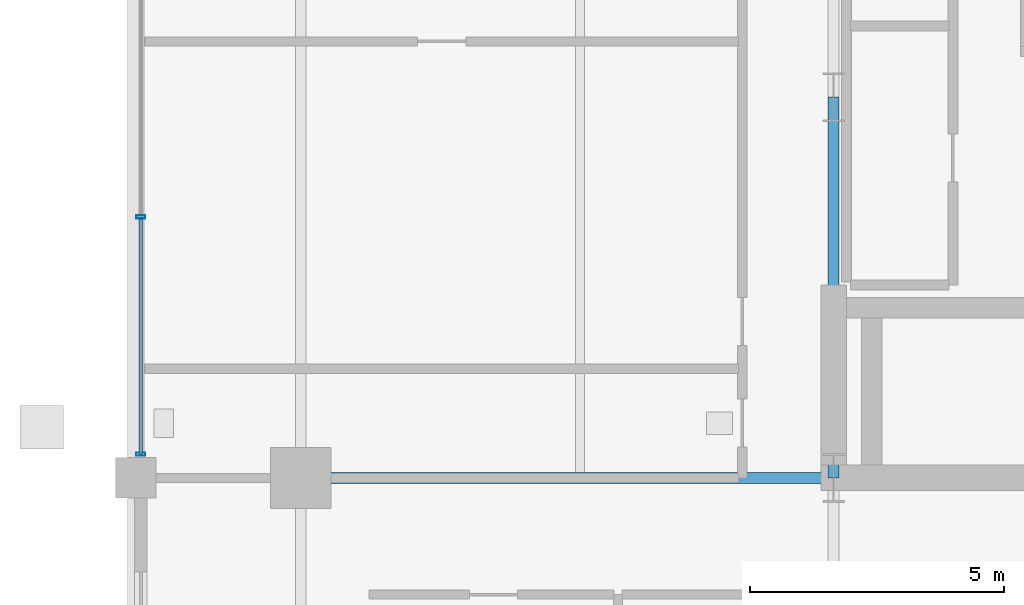
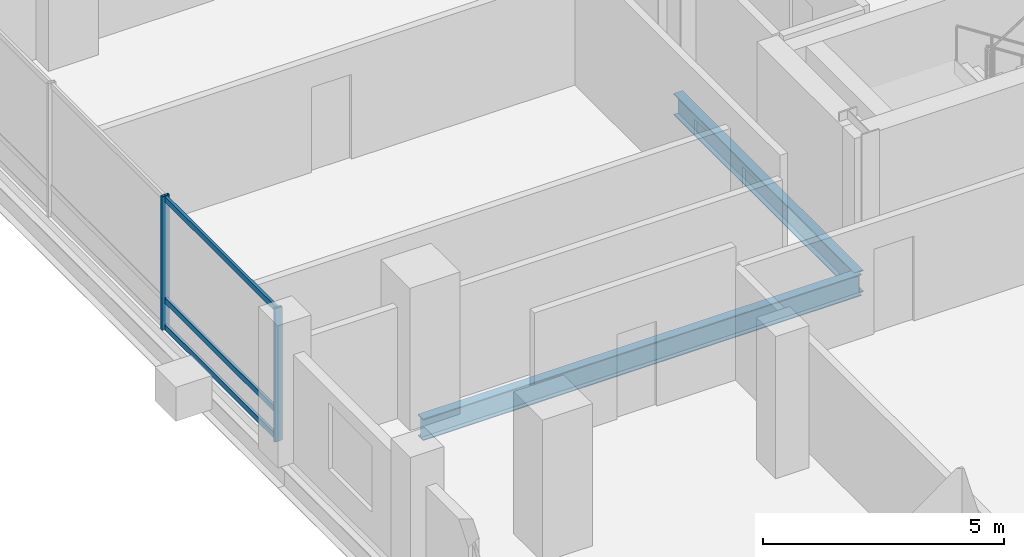
# One storey, part 4 of 19: 5 members, 2 beams, 1 element without a shape of its own.
"""IFC4 building model written with IfcOpenShell, lengths in metres."""

import ifcopenshell
import ifcopenshell.guid

model = None  # the IFC model being written
_history = None  # IfcOwnerHistory: only IFC2X3 demands one
_inside = {}  # id of a spatial element -> (the spatial element, [elements in it])
_under = {}  # id of a project, library or spatial element -> (it, [spatial elements below it])
_declared = {}  # id of a project -> (the project, [libraries it declares])
_typed = {}  # id of a type object -> (the type object, [elements of that type])
_made_of = {}  # id of a material, layer set ... -> (it, [elements and type objects made of it])


def new_model(schema):
    """Start an empty IFC model of exactly this schema.

    Asked for "IFC4X3", IfcOpenShell would pick the latest addendum, in which some entities
    have other attributes; the version numbers below select the first issue.
    IFC2X3 requires an IfcOwnerHistory on every rooted entity: one is made here for all.
    """
    global model, _history
    if schema == "IFC4X3":
        model = ifcopenshell.file(schema_version=(4, 3, 0, 0))
    else:
        model = ifcopenshell.file(schema=schema)
    _inside.clear()
    _under.clear()
    _declared.clear()
    _typed.clear()
    _made_of.clear()
    _history = None
    if model.schema == "IFC2X3":
        org = make("IfcOrganization", Name="unknown")
        user = make(
            "IfcPersonAndOrganization",
            ThePerson=make("IfcPerson", FamilyName="unknown"),
            TheOrganization=org,
        )
        app = make(
            "IfcApplication",
            ApplicationDeveloper=org,
            Version="unknown",
            ApplicationFullName="unknown",
            ApplicationIdentifier="unknown",
        )
        _history = make(
            "IfcOwnerHistory",
            OwningUser=user,
            OwningApplication=app,
            ChangeAction="ADDED",
            CreationDate=0,
        )
    return model


def make(cls, **values):
    """One entity of the class cls with the attributes given. An attribute that is None is left unset."""
    return model.create_entity(
        cls, **{name: value for name, value in values.items() if value is not None}
    )


def rooted(cls, **values):
    """An entity with a GlobalId (a new one), such as an element, a storey or a relation."""
    return make(cls, GlobalId=ifcopenshell.guid.new(), OwnerHistory=_history, **values)


def si_unit(unit_type, name, prefix=None):
    """IfcSIUnit, for example si_unit("LENGTHUNIT", "METRE", prefix="MILLI")."""
    return make("IfcSIUnit", UnitType=unit_type, Prefix=prefix, Name=name)


def assignment(units):
    """IfcUnitAssignment: the units of a project."""
    return None if units is None else make("IfcUnitAssignment", Units=units)


def point(xyz):
    """IfcCartesianPoint."""
    return None if xyz is None else make("IfcCartesianPoint", Coordinates=xyz)


def direction(xyz):
    """IfcDirection."""
    return None if xyz is None else make("IfcDirection", DirectionRatios=xyz)


def frame(location, z_axis=None, x_axis=None):
    """IfcAxis2Placement3D, a coordinate frame: its origin and axes. An axis left out is left unset."""
    return make(
        "IfcAxis2Placement3D",
        Location=point(location),
        Axis=direction(z_axis),
        RefDirection=direction(x_axis),
    )


def frame_2d(location, x_axis=None):
    """IfcAxis2Placement2D, a coordinate frame in the plane: its origin and x axis."""
    return make(
        "IfcAxis2Placement2D", Location=point(location), RefDirection=direction(x_axis)
    )


def origin():
    """The frame at (0, 0, 0) with its axes left unset."""
    return frame((0.0, 0.0, 0.0))


def origin_2d():
    """The frame at (0, 0) in the plane with its x axis left unset."""
    return frame_2d((0.0, 0.0))


def place(relative_to, where):
    """IfcLocalPlacement: puts the frame where relative to a parent placement (None: the world)."""
    return make(
        "IfcLocalPlacement", PlacementRelTo=relative_to, RelativePlacement=where
    )


def context(
    kind, dimensions, precision=None, world=None, true_north=None, identifier=None
):
    """IfcGeometricRepresentationContext, for example the 3D "Model" context."""
    return make(
        "IfcGeometricRepresentationContext",
        ContextIdentifier=identifier,
        ContextType=kind,
        CoordinateSpaceDimension=dimensions,
        Precision=precision,
        WorldCoordinateSystem=world,
        TrueNorth=true_north,
    )


def subcontext(parent, identifier, kind, view, scale=None):
    """IfcGeometricRepresentationSubContext, for example "Body" below "Model"."""
    return make(
        "IfcGeometricRepresentationSubContext",
        ContextIdentifier=identifier,
        ContextType=kind,
        ParentContext=parent,
        TargetScale=scale,
        TargetView=view,
    )


def project(units=None, contexts=None):
    """IfcProject with its units and contexts."""
    return rooted(
        "IfcProject",
        Name="project",
        RepresentationContexts=contexts,
        UnitsInContext=assignment(units),
    )


def spatial(cls, under=None, at=None, **own):
    """A site, building, storey or space (cls), placed at a placement, below another one or the project."""
    s = rooted(cls, ObjectPlacement=at, **own)
    if under is not None:
        _under.setdefault(under.id(), (under, []))[1].append(s)
    return s


def profile(cls, at=None, kind="AREA", **sizes):
    """A parametric profile (cls). Its sizes go by their IFC names, for example OverallWidth=200.0."""
    return make(cls, ProfileType=kind, Position=at, **sizes)


def hollow_rectangle(**sizes):
    """IfcRectangleHollowProfileDef."""
    return profile("IfcRectangleHollowProfileDef", **sizes)


def i_section(**sizes):
    """IfcIShapeProfileDef."""
    return profile("IfcIShapeProfileDef", **sizes)


def extrude(swept, where, along, depth):
    """IfcExtrudedAreaSolid: the profile swept, set in the frame where, extruded along a direction by depth."""
    return make(
        "IfcExtrudedAreaSolid",
        SweptArea=swept,
        Position=where,
        ExtrudedDirection=direction(along),
        Depth=depth,
    )


def shape(context_of_items, identifier, shape_type, items):
    """IfcShapeRepresentation: the items that make up one representation, for example the "Body"."""
    return make(
        "IfcShapeRepresentation",
        ContextOfItems=context_of_items,
        RepresentationIdentifier=identifier,
        RepresentationType=shape_type,
        Items=items,
    )


def material(Name=None, Category=None):
    """IfcMaterial."""
    return make("IfcMaterial", Name=Name, Category=Category)


def layer(
    of_material, thickness, ventilated=None, Name=None, Category=None, Priority=None
):
    """IfcMaterialLayer: one layer of a wall or slab, of a material (None: an air gap)."""
    return make(
        "IfcMaterialLayer",
        Material=of_material,
        LayerThickness=thickness,
        IsVentilated=ventilated,
        Name=Name,
        Category=Category,
        Priority=Priority,
    )


def layer_set(layers, Name=None):
    """IfcMaterialLayerSet."""
    return make("IfcMaterialLayerSet", MaterialLayers=layers, LayerSetName=Name)


def material_profile(
    of_material, cross_section, Name=None, Category=None, Priority=None
):
    """IfcMaterialProfile: a cross section and its material."""
    return make(
        "IfcMaterialProfile",
        Name=Name,
        Material=of_material,
        Profile=cross_section,
        Priority=Priority,
        Category=Category,
    )


def profile_set(profiles, Name=None, composite=None):
    """IfcMaterialProfileSet."""
    return make(
        "IfcMaterialProfileSet",
        Name=Name,
        MaterialProfiles=profiles,
        CompositeProfile=composite,
    )


def made_of(thing, what):
    """Note that an element or type object is made of a material, layer set ...; save() writes the relation."""
    if what is not None:
        _made_of.setdefault(what.id(), (what, []))[1].append(thing)
    return thing


def type_object(cls, material=None, **own):
    """A type object (cls), such as IfcWallType, which elements share."""
    return made_of(rooted(cls, **own), material)


def element(
    cls,
    number,
    at=None,
    inside=None,
    cuts=None,
    type_object=None,
    material=None,
    context=None,
    identifier="Body",
    shape_type=None,
    held_by="IfcProductDefinitionShape",
    body=None,
    shapes=None,
    **own,
):
    """One element of the class cls, such as IfcWall. Its Tag is "e" and its number.

    at: its placement. inside: the storey or other place that contains it. cuts: it is an
    opening in that element (IfcRelVoidsElement). A single representation is given by context,
    identifier, shape_type and body (its items); several are given by shapes. held_by: the class
    of the entity that holds the representations. save() writes the other relations.
    """
    e = rooted(cls, Tag="e%d" % number, ObjectPlacement=at, **own)
    if body is not None:
        shapes = [shape(context, identifier, shape_type, body)]
    if shapes is not None:
        e.Representation = make(held_by, Representations=shapes)
    if inside is not None:
        _inside.setdefault(inside.id(), (inside, []))[1].append(e)
    if cuts is not None:
        rooted(
            "IfcRelVoidsElement", RelatingBuildingElement=cuts, RelatedOpeningElement=e
        )
    if type_object is not None:
        _typed.setdefault(type_object.id(), (type_object, []))[1].append(e)
    return made_of(e, material)


def aggregate(whole, parts):
    """IfcRelAggregates: a whole, such as a stair, and the parts it consists of."""
    return rooted("IfcRelAggregates", RelatingObject=whole, RelatedObjects=parts)


def save(model, path):
    """Write the relations noted so far, then the file.

    IfcRelAggregates (storeys below a building ...), IfcRelContainedInSpatialStructure (elements
    in a storey), IfcRelDefinesByType, IfcRelAssociatesMaterial and IfcRelDeclares: one each for
    every whole, place, type object, material and project.
    """
    for whole, parts in _under.values():
        aggregate(whole, parts)
    for where, things in _inside.values():
        rooted(
            "IfcRelContainedInSpatialStructure",
            RelatedElements=things,
            RelatingStructure=where,
        )
    for kind, things in _typed.values():
        rooted("IfcRelDefinesByType", RelatedObjects=things, RelatingType=kind)
    for what, things in _made_of.values():
        rooted("IfcRelAssociatesMaterial", RelatedObjects=things, RelatingMaterial=what)
    for by, libraries in _declared.values():
        rooted("IfcRelDeclares", RelatingContext=by, RelatedDefinitions=libraries)
    model.write(path)


model = new_model("IFC4")

# Units and contexts
model_context = context("Model", 3, precision=1e-05, world=origin(), true_north=direction((0.0, 1.0)))
body_context = subcontext(model_context, "Body", "Model", "MODEL_VIEW")
ifc_project = project(units=[si_unit("LENGTHUNIT", "METRE"), si_unit("AREAUNIT", "SQUARE_METRE"), si_unit("VOLUMEUNIT", "CUBIC_METRE"), si_unit("PLANEANGLEUNIT", "RADIAN"), si_unit("MASSUNIT", "GRAM", prefix="KILO")], contexts=[model_context])

# Site, building, storey
site_placement = place(None, origin())
site = spatial("IfcSite", under=ifc_project, at=site_placement, CompositionType="ELEMENT")
building_placement = place(site_placement, origin())
building = spatial("IfcBuilding", under=site, at=building_placement, Name="Barlavira Tower and Art Museum", CompositionType="ELEMENT")
storey_placement = place(building_placement, frame((0.0, 0.0, 158.39990234375)))
storey = spatial("IfcBuildingStorey", under=building, at=storey_placement, Name="L40", CompositionType="ELEMENT", Elevation=158.39990234375)

# Curtain wall, members
ifc_material_1 = material(Name="Low-iron coastal laminated glass", Category="glass")
ifc_layer = layer(ifc_material_1, 0.18994140625, Name="Low-iron coastal laminated glass")
ifc_layer_set = layer_set([ifc_layer], Name="Low-iron coastal laminated glass")
curtain_wall_type = type_object("IfcCurtainWallType", Name="Pale-Metal Unitised Curtain Wall Zone 2", PredefinedType="NOTDEFINED", material=ifc_layer_set)
curtain_wall_placement = place(storey_placement, origin())
curtain_wall = element("IfcCurtainWall", 1, at=curtain_wall_placement, inside=storey, type_object=curtain_wall_type, Name="L40 Curtain Wall CW2-L40-W-B3", PredefinedType="NOTDEFINED")
ifc_material_2 = material(Name="Pale anodised aluminium", Category="aluminium")
ifc_material_profile_1 = material_profile(ifc_material_2, hollow_rectangle(XDim=0.06494140625, YDim=0.179931640625, WallThickness=0.00390625, at=origin_2d()), Name="ALU-MULL 65x180x4")
ifc_profile_set_1 = profile_set([ifc_material_profile_1], Name="Pale anodised aluminium")
member_type_1 = type_object("IfcMemberType", Name="Curtain Wall Pale-Metal Mullion 65x180", PredefinedType="MULLION", material=ifc_profile_set_1)
member_1_placement = place(storey_placement, frame((-20.14990234375, -2.360107421875, 0.0), z_axis=(0.0, 0.0, 1.0), x_axis=(0.0, -1.0, 0.0)))
member_1 = element("IfcMember", 2, at=member_1_placement, type_object=member_type_1, Name="CW2-L40-W-B3 Mullion 2", PredefinedType="MULLION", context=body_context, shape_type="SweptSolid", body=[
    extrude(hollow_rectangle(XDim=0.06494140625, YDim=0.179931640625, WallThickness=0.00390625, at=origin_2d()), origin(), (0.0, 0.0, 1.0), 3.380126953125),
])
member_2_placement = place(storey_placement, frame((-20.14990234375, -7.034912109375, 0.0), z_axis=(0.0, 0.0, 1.0), x_axis=(0.0, -1.0, 0.0)))
member_2 = element("IfcMember", 3, at=member_2_placement, type_object=member_type_1, Name="CW2-L40-W-B3 Mullion 3", PredefinedType="MULLION", context=body_context, shape_type="SweptSolid", body=[
    extrude(hollow_rectangle(XDim=0.06494140625, YDim=0.179931640625, WallThickness=0.00390625, at=origin_2d()), origin(), (0.0, 0.0, 1.0), 3.380126953125),
])
ifc_material_profile_2 = material_profile(ifc_material_2, hollow_rectangle(XDim=0.06494140625, YDim=0.139892578125, WallThickness=0.00390625, at=origin_2d()), Name="ALU-TRAN 65x140x4")
ifc_profile_set_2 = profile_set([ifc_material_profile_2], Name="Pale anodised aluminium")
member_type_2 = type_object("IfcMemberType", Name="Curtain Wall Pale-Metal Transom 65x140", PredefinedType="USERDEFINED", material=ifc_profile_set_2)
member_3_placement = place(storey_placement, frame((-20.14990234375, -2.405029296875, 0.070068359375), z_axis=(0.0, -1.0, 0.0), x_axis=(1.0, 0.0, 0.0)))
member_3 = element("IfcMember", 4, at=member_3_placement, type_object=member_type_2, Name="CW2-L40-W-B3 Transom 2.1", ObjectType="TRANSOM", PredefinedType="USERDEFINED", context=body_context, shape_type="SweptSolid", body=[
    extrude(hollow_rectangle(XDim=0.06494140625, YDim=0.139892578125, WallThickness=0.00390625, at=origin_2d()), origin(), (0.0, 0.0, 1.0), 4.6298828125),
])
member_4_placement = place(storey_placement, frame((-20.14990234375, -2.405029296875, 0.744140625), z_axis=(0.0, -1.0, 0.0), x_axis=(1.0, 0.0, 0.0)))
member_4 = element("IfcMember", 5, at=member_4_placement, type_object=member_type_2, Name="CW2-L40-W-B3 Transom 2.2", ObjectType="TRANSOM", PredefinedType="USERDEFINED", context=body_context, shape_type="SweptSolid", body=[
    extrude(hollow_rectangle(XDim=0.06494140625, YDim=0.139892578125, WallThickness=0.00390625, at=origin_2d()), origin(), (0.0, 0.0, 1.0), 4.6298828125),
])
member_5_placement = place(storey_placement, frame((-20.14990234375, -2.405029296875, 3.31005859375), z_axis=(0.0, -1.0, 0.0), x_axis=(1.0, 0.0, 0.0)))
member_5 = element("IfcMember", 6, at=member_5_placement, type_object=member_type_2, Name="CW2-L40-W-B3 Transom 2.3", ObjectType="TRANSOM", PredefinedType="USERDEFINED", context=body_context, shape_type="SweptSolid", body=[
    extrude(hollow_rectangle(XDim=0.06494140625, YDim=0.139892578125, WallThickness=0.00390625, at=origin_2d()), origin(), (0.0, 0.0, 1.0), 4.6298828125),
])
aggregate(curtain_wall, [member_1, member_2, member_3, member_4, member_5])

# Beams
ifc_material_3 = material(Name="Steel S355", Category="steel")
ifc_material_profile_3 = material_profile(ifc_material_3, i_section(OverallWidth=0.214111328125, OverallDepth=0.549072265625, WebThickness=0.0146484375, FlangeThickness=0.023681640625, at=origin_2d()), Name="W530x138.0")
ifc_profile_set_3 = profile_set([ifc_material_profile_3], Name="Steel S355")
beam_type = type_object("IfcBeamType", Name="Zone 1 Primary Floor Girder W530x138 Steel S355", PredefinedType="BEAM", material=ifc_profile_set_3)
beam_1_placement = place(storey_placement, frame((-6.5, -7.5, -0.494384765625), z_axis=(0.0, 1.0, 0.0), x_axis=(-1.0, 0.0, 0.0)))
element("IfcBeam", 7, at=beam_1_placement, inside=storey, type_object=beam_type, Name="L40 Girder C-W1", PredefinedType="BEAM", context=body_context, shape_type="SweptSolid", body=[
    extrude(i_section(OverallWidth=0.214111328125, OverallDepth=0.549072265625, WebThickness=0.0146484375, FlangeThickness=0.023681640625, at=origin_2d()), origin(), (0.0, 0.0, 1.0), 7.5),
])
beam_2_placement = place(storey_placement, frame((-17.0, -7.5, -0.494384765625), z_axis=(1.0, 0.0, 0.0), x_axis=(0.0, 1.0, 0.0)))
element("IfcBeam", 8, at=beam_2_placement, inside=storey, type_object=beam_type, Name="L40 Girder R-W1", PredefinedType="BEAM", context=body_context, shape_type="SweptSolid", body=[
    extrude(i_section(OverallWidth=0.214111328125, OverallDepth=0.549072265625, WebThickness=0.0146484375, FlangeThickness=0.023681640625, at=origin_2d()), origin(), (0.0, 0.0, 1.0), 10.5),
])

save(model, "model.ifc")
